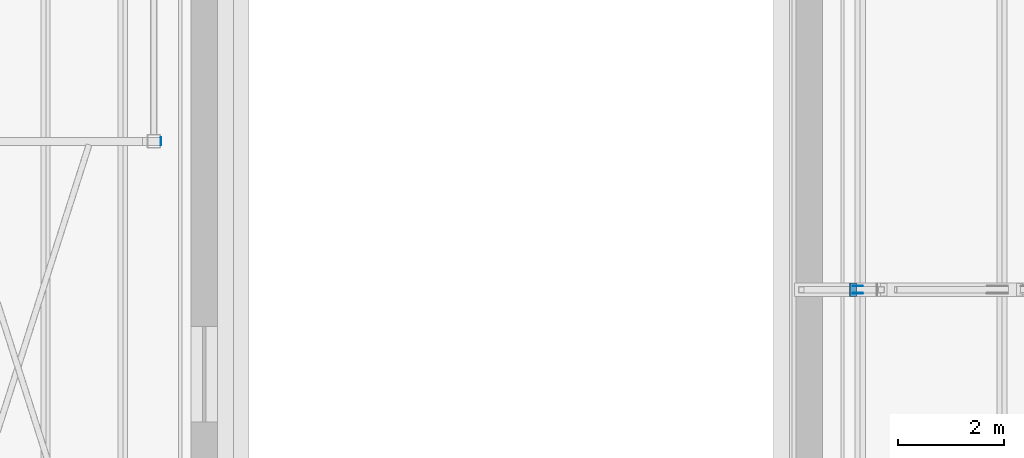
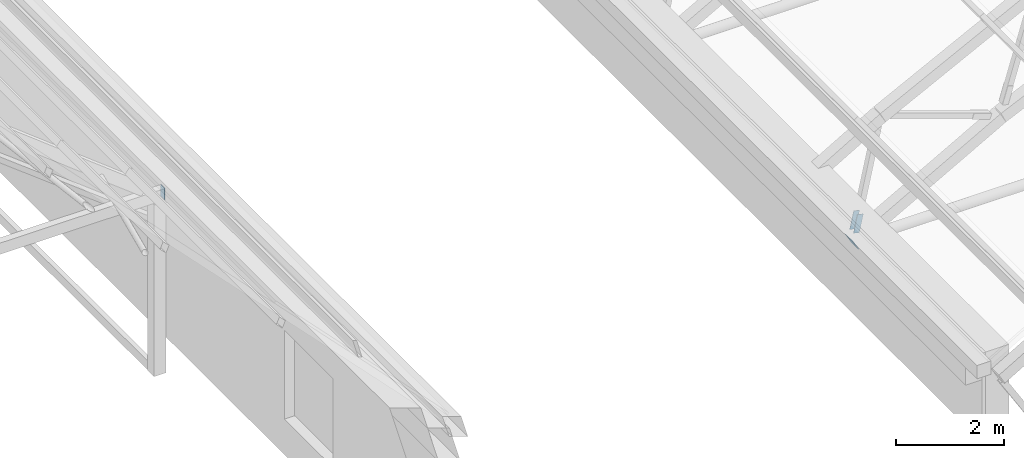
# One storey, part 102 of 127: 4 discrete accessories.
"""IFC4 building model written with IfcOpenShell, lengths in metres."""

from ifc_helpers import new_model, si_unit, direction, frame, origin, origin_2d, place, context, subcontext, project, spatial, rectangle, extrude, material, material_profile, profile_set, type_object, element, save


model = new_model("IFC4")

# Units and contexts
model_context = context("Model", 3, precision=1e-05, world=origin(), true_north=direction((0.0, 1.0)))
body_context = subcontext(model_context, "Body", "Model", "MODEL_VIEW")
ifc_project = project(units=[si_unit("LENGTHUNIT", "METRE"), si_unit("AREAUNIT", "SQUARE_METRE"), si_unit("VOLUMEUNIT", "CUBIC_METRE"), si_unit("PLANEANGLEUNIT", "RADIAN"), si_unit("MASSUNIT", "GRAM", prefix="KILO")], contexts=[model_context])

# Site, building, storey
site_placement = place(None, origin())
site = spatial("IfcSite", under=ifc_project, at=site_placement, CompositionType="ELEMENT")
building_placement = place(site_placement, origin())
building = spatial("IfcBuilding", under=site, at=building_placement, Name="Verrick Yard Athletic Hall", CompositionType="ELEMENT")
storey_placement = place(building_placement, frame((0.0, 0.0, 14.0)))
storey = spatial("IfcBuildingStorey", under=building, at=storey_placement, Name="L03", CompositionType="ELEMENT", Elevation=14.0)

# Discrete accessories
ifc_material = material(Name="Structural steel 350W (CSA G40.21)", Category="steel")
ifc_material_profile_1 = material_profile(ifc_material, rectangle(XDim=0.39990234375, YDim=0.126953125, at=origin_2d()), Name="Brace end cheek plate")
ifc_profile_set_1 = profile_set([ifc_material_profile_1], Name="Structural steel 350W (CSA G40.21)")
discrete_accessory_type_1 = type_object("IfcDiscreteAccessoryType", Name="Brace end cheek plate 400x127x12", PredefinedType="BRACKET", material=ifc_profile_set_1)
for number, where, z_axis, x_axis, name in (
    (1, (121.69091796875, 79.263427734375, 0.416015625), (0.0, 1.0, 0.0), (0.213605450371, 0.0, 0.976920012883), "Truss web end plate TA2-1 1"),
    (2, (121.69091796875, 79.136474609375, 0.416015625), (0.0, -1.0, 0.0), (0.213605450371, 0.0, 0.976920012883), "Truss web end plate TA2-1 2"),
):
    element("IfcDiscreteAccessory", number, at=place(storey_placement, frame(where, z_axis=z_axis, x_axis=x_axis)), inside=storey, type_object=discrete_accessory_type_1, Name=name, PredefinedType="BRACKET", context=body_context, shape_type="SweptSolid", body=[
        extrude(rectangle(XDim=0.39990234375, YDim=0.126953125, at=origin_2d()), origin(), (0.0, 0.0, 1.0), 0.011962890625),
    ])
ifc_material_profile_2 = material_profile(ifc_material, rectangle(XDim=0.25390625, YDim=0.25390625, at=origin_2d()), Name="STR End cap plate 254x254x9.5")
ifc_profile_set_2 = profile_set([ifc_material_profile_2], Name="Structural steel 350W (CSA G40.21)")
discrete_accessory_type_2 = type_object("IfcDiscreteAccessoryType", Name="STR End cap plate 254x254x9.5", PredefinedType="BRACKET", material=ifc_profile_set_2)
discrete_accessory_1_placement = place(storey_placement, frame((121.59130859375, 79.199951171875, -0.0048828125), z_axis=(0.874157276122, 0.0, 0.485642931179), x_axis=(0.0, 1.0, 0.0)))
element("IfcDiscreteAccessory", 3, at=discrete_accessory_1_placement, inside=storey, type_object=discrete_accessory_type_2, Name="End cap Truss TA2 bottom chord 1 A", PredefinedType="BRACKET", context=body_context, shape_type="SweptSolid", body=[
    extrude(rectangle(XDim=0.25390625, YDim=0.25390625, at=origin_2d()), origin(), (0.0, 0.0, 1.0), 0.010009765625),
])
ifc_material_profile_3 = material_profile(ifc_material, rectangle(XDim=0.15234375, YDim=0.25390625, at=origin_2d()), Name="STR End cap plate 254x152x9.5")
ifc_profile_set_3 = profile_set([ifc_material_profile_3], Name="Structural steel 350W (CSA G40.21)")
discrete_accessory_type_3 = type_object("IfcDiscreteAccessoryType", Name="STR End cap plate 254x152x9.5", PredefinedType="BRACKET", material=ifc_profile_set_3)
discrete_accessory_2_placement = place(storey_placement, frame((108.537109375, 82.0, 3.9892578125), z_axis=(-1.0, 0.0, 0.0), x_axis=(0.0, -1.0, 0.0)))
element("IfcDiscreteAccessory", 4, at=discrete_accessory_2_placement, inside=storey, type_object=discrete_accessory_type_3, Name="End cap HB-RT-2E A", PredefinedType="BRACKET", context=body_context, shape_type="SweptSolid", body=[
    extrude(rectangle(XDim=0.15234375, YDim=0.25390625, at=origin_2d()), origin(), (0.0, 0.0, 1.0), 0.010009765625),
])

save(model, "model.ifc")
